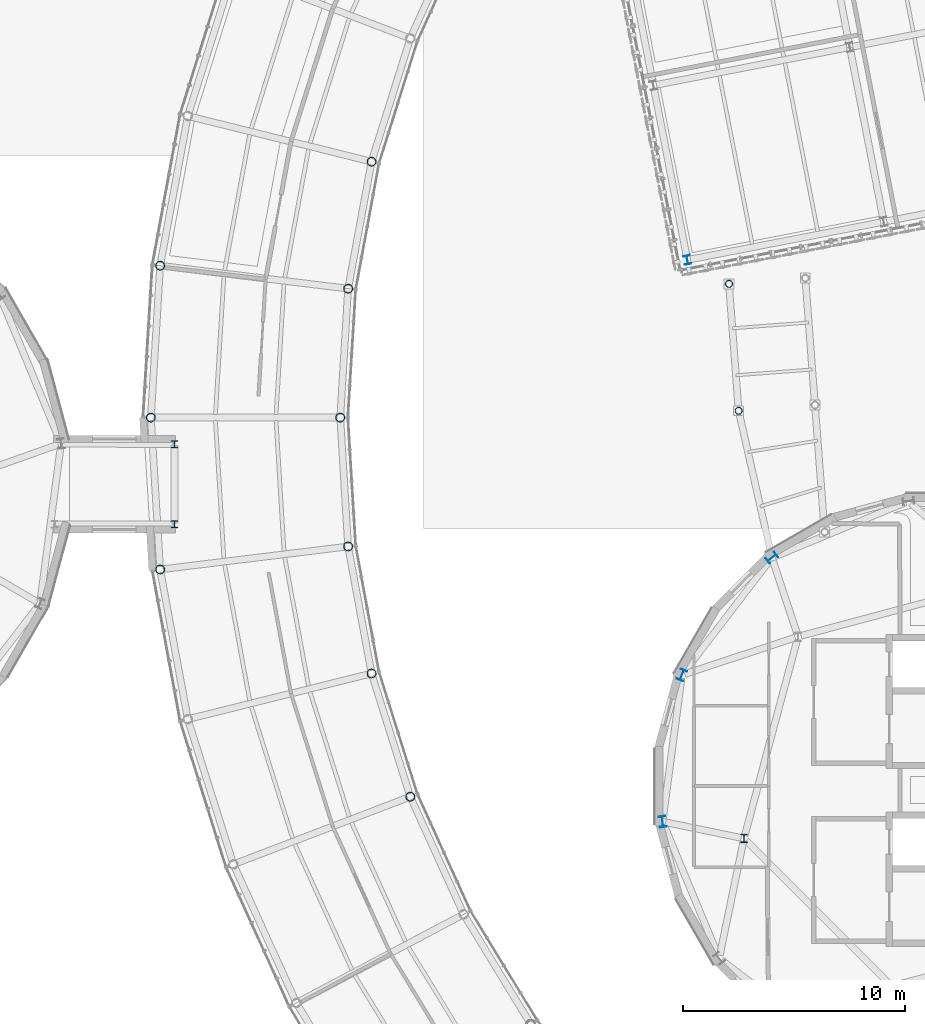
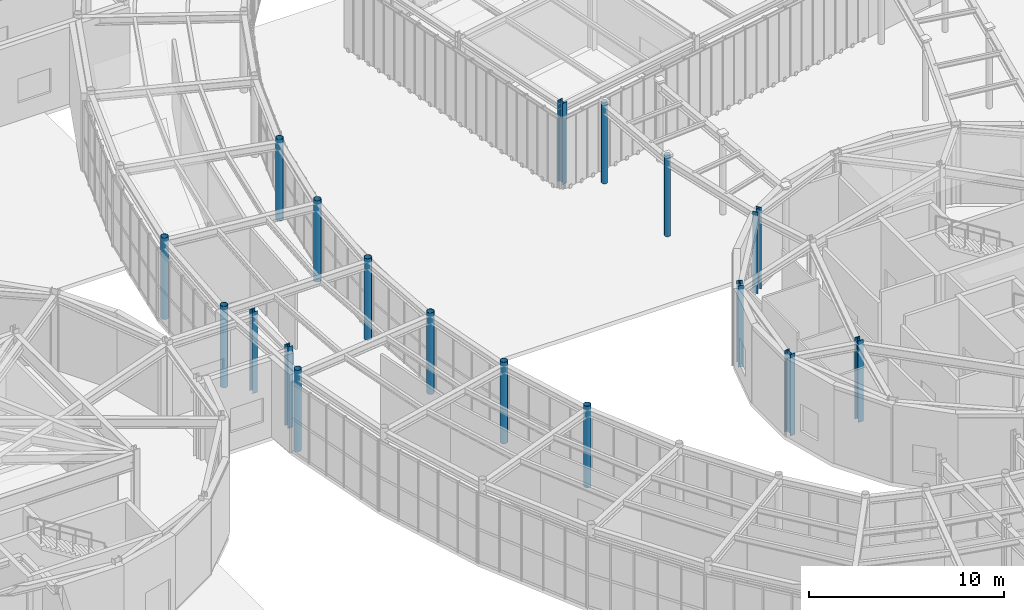
# One storey, part 4 of 97: 18 columns.
"""IFC4 building model written with IfcOpenShell, lengths in metres."""

import ifcopenshell
import ifcopenshell.guid

model = None  # the IFC model being written
_history = None  # IfcOwnerHistory: only IFC2X3 demands one
_inside = {}  # id of a spatial element -> (the spatial element, [elements in it])
_under = {}  # id of a project, library or spatial element -> (it, [spatial elements below it])
_declared = {}  # id of a project -> (the project, [libraries it declares])
_typed = {}  # id of a type object -> (the type object, [elements of that type])
_made_of = {}  # id of a material, layer set ... -> (it, [elements and type objects made of it])


def new_model(schema):
    """Start an empty IFC model of exactly this schema.

    Asked for "IFC4X3", IfcOpenShell would pick the latest addendum, in which some entities
    have other attributes; the version numbers below select the first issue.
    IFC2X3 requires an IfcOwnerHistory on every rooted entity: one is made here for all.
    """
    global model, _history
    if schema == "IFC4X3":
        model = ifcopenshell.file(schema_version=(4, 3, 0, 0))
    else:
        model = ifcopenshell.file(schema=schema)
    _inside.clear()
    _under.clear()
    _declared.clear()
    _typed.clear()
    _made_of.clear()
    _history = None
    if model.schema == "IFC2X3":
        org = make("IfcOrganization", Name="unknown")
        user = make(
            "IfcPersonAndOrganization",
            ThePerson=make("IfcPerson", FamilyName="unknown"),
            TheOrganization=org,
        )
        app = make(
            "IfcApplication",
            ApplicationDeveloper=org,
            Version="unknown",
            ApplicationFullName="unknown",
            ApplicationIdentifier="unknown",
        )
        _history = make(
            "IfcOwnerHistory",
            OwningUser=user,
            OwningApplication=app,
            ChangeAction="ADDED",
            CreationDate=0,
        )
    return model


def make(cls, **values):
    """One entity of the class cls with the attributes given. An attribute that is None is left unset."""
    return model.create_entity(
        cls, **{name: value for name, value in values.items() if value is not None}
    )


def rooted(cls, **values):
    """An entity with a GlobalId (a new one), such as an element, a storey or a relation."""
    return make(cls, GlobalId=ifcopenshell.guid.new(), OwnerHistory=_history, **values)


def si_unit(unit_type, name, prefix=None):
    """IfcSIUnit, for example si_unit("LENGTHUNIT", "METRE", prefix="MILLI")."""
    return make("IfcSIUnit", UnitType=unit_type, Prefix=prefix, Name=name)


def assignment(units):
    """IfcUnitAssignment: the units of a project."""
    return None if units is None else make("IfcUnitAssignment", Units=units)


def point(xyz):
    """IfcCartesianPoint."""
    return None if xyz is None else make("IfcCartesianPoint", Coordinates=xyz)


def direction(xyz):
    """IfcDirection."""
    return None if xyz is None else make("IfcDirection", DirectionRatios=xyz)


def frame(location, z_axis=None, x_axis=None):
    """IfcAxis2Placement3D, a coordinate frame: its origin and axes. An axis left out is left unset."""
    return make(
        "IfcAxis2Placement3D",
        Location=point(location),
        Axis=direction(z_axis),
        RefDirection=direction(x_axis),
    )


def frame_2d(location, x_axis=None):
    """IfcAxis2Placement2D, a coordinate frame in the plane: its origin and x axis."""
    return make(
        "IfcAxis2Placement2D", Location=point(location), RefDirection=direction(x_axis)
    )


def origin():
    """The frame at (0, 0, 0) with its axes left unset."""
    return frame((0.0, 0.0, 0.0))


def origin_2d():
    """The frame at (0, 0) in the plane with its x axis left unset."""
    return frame_2d((0.0, 0.0))


def place(relative_to, where):
    """IfcLocalPlacement: puts the frame where relative to a parent placement (None: the world)."""
    return make(
        "IfcLocalPlacement", PlacementRelTo=relative_to, RelativePlacement=where
    )


def context(
    kind, dimensions, precision=None, world=None, true_north=None, identifier=None
):
    """IfcGeometricRepresentationContext, for example the 3D "Model" context."""
    return make(
        "IfcGeometricRepresentationContext",
        ContextIdentifier=identifier,
        ContextType=kind,
        CoordinateSpaceDimension=dimensions,
        Precision=precision,
        WorldCoordinateSystem=world,
        TrueNorth=true_north,
    )


def subcontext(parent, identifier, kind, view, scale=None):
    """IfcGeometricRepresentationSubContext, for example "Body" below "Model"."""
    return make(
        "IfcGeometricRepresentationSubContext",
        ContextIdentifier=identifier,
        ContextType=kind,
        ParentContext=parent,
        TargetScale=scale,
        TargetView=view,
    )


def project(units=None, contexts=None):
    """IfcProject with its units and contexts."""
    return rooted(
        "IfcProject",
        Name="project",
        RepresentationContexts=contexts,
        UnitsInContext=assignment(units),
    )


def spatial(cls, under=None, at=None, **own):
    """A site, building, storey or space (cls), placed at a placement, below another one or the project."""
    s = rooted(cls, ObjectPlacement=at, **own)
    if under is not None:
        _under.setdefault(under.id(), (under, []))[1].append(s)
    return s


def profile(cls, at=None, kind="AREA", **sizes):
    """A parametric profile (cls). Its sizes go by their IFC names, for example OverallWidth=200.0."""
    return make(cls, ProfileType=kind, Position=at, **sizes)


def hollow_circle(**sizes):
    """IfcCircleHollowProfileDef."""
    return profile("IfcCircleHollowProfileDef", **sizes)


def i_section(**sizes):
    """IfcIShapeProfileDef."""
    return profile("IfcIShapeProfileDef", **sizes)


def extrude(swept, where, along, depth):
    """IfcExtrudedAreaSolid: the profile swept, set in the frame where, extruded along a direction by depth."""
    return make(
        "IfcExtrudedAreaSolid",
        SweptArea=swept,
        Position=where,
        ExtrudedDirection=direction(along),
        Depth=depth,
    )


def shape(context_of_items, identifier, shape_type, items):
    """IfcShapeRepresentation: the items that make up one representation, for example the "Body"."""
    return make(
        "IfcShapeRepresentation",
        ContextOfItems=context_of_items,
        RepresentationIdentifier=identifier,
        RepresentationType=shape_type,
        Items=items,
    )


def material(Name=None, Category=None):
    """IfcMaterial."""
    return make("IfcMaterial", Name=Name, Category=Category)


def material_profile(
    of_material, cross_section, Name=None, Category=None, Priority=None
):
    """IfcMaterialProfile: a cross section and its material."""
    return make(
        "IfcMaterialProfile",
        Name=Name,
        Material=of_material,
        Profile=cross_section,
        Priority=Priority,
        Category=Category,
    )


def profile_set(profiles, Name=None, composite=None):
    """IfcMaterialProfileSet."""
    return make(
        "IfcMaterialProfileSet",
        Name=Name,
        MaterialProfiles=profiles,
        CompositeProfile=composite,
    )


def made_of(thing, what):
    """Note that an element or type object is made of a material, layer set ...; save() writes the relation."""
    if what is not None:
        _made_of.setdefault(what.id(), (what, []))[1].append(thing)
    return thing


def type_object(cls, material=None, **own):
    """A type object (cls), such as IfcWallType, which elements share."""
    return made_of(rooted(cls, **own), material)


def element(
    cls,
    number,
    at=None,
    inside=None,
    cuts=None,
    type_object=None,
    material=None,
    context=None,
    identifier="Body",
    shape_type=None,
    held_by="IfcProductDefinitionShape",
    body=None,
    shapes=None,
    **own,
):
    """One element of the class cls, such as IfcWall. Its Tag is "e" and its number.

    at: its placement. inside: the storey or other place that contains it. cuts: it is an
    opening in that element (IfcRelVoidsElement). A single representation is given by context,
    identifier, shape_type and body (its items); several are given by shapes. held_by: the class
    of the entity that holds the representations. save() writes the other relations.
    """
    e = rooted(cls, Tag="e%d" % number, ObjectPlacement=at, **own)
    if body is not None:
        shapes = [shape(context, identifier, shape_type, body)]
    if shapes is not None:
        e.Representation = make(held_by, Representations=shapes)
    if inside is not None:
        _inside.setdefault(inside.id(), (inside, []))[1].append(e)
    if cuts is not None:
        rooted(
            "IfcRelVoidsElement", RelatingBuildingElement=cuts, RelatedOpeningElement=e
        )
    if type_object is not None:
        _typed.setdefault(type_object.id(), (type_object, []))[1].append(e)
    return made_of(e, material)


def aggregate(whole, parts):
    """IfcRelAggregates: a whole, such as a stair, and the parts it consists of."""
    return rooted("IfcRelAggregates", RelatingObject=whole, RelatedObjects=parts)


def save(model, path):
    """Write the relations noted so far, then the file.

    IfcRelAggregates (storeys below a building ...), IfcRelContainedInSpatialStructure (elements
    in a storey), IfcRelDefinesByType, IfcRelAssociatesMaterial and IfcRelDeclares: one each for
    every whole, place, type object, material and project.
    """
    for whole, parts in _under.values():
        aggregate(whole, parts)
    for where, things in _inside.values():
        rooted(
            "IfcRelContainedInSpatialStructure",
            RelatedElements=things,
            RelatingStructure=where,
        )
    for kind, things in _typed.values():
        rooted("IfcRelDefinesByType", RelatedObjects=things, RelatingType=kind)
    for what, things in _made_of.values():
        rooted("IfcRelAssociatesMaterial", RelatedObjects=things, RelatingMaterial=what)
    for by, libraries in _declared.values():
        rooted("IfcRelDeclares", RelatingContext=by, RelatedDefinitions=libraries)
    model.write(path)


model = new_model("IFC4")

# Units and contexts
model_context = context("Model", 3, precision=1e-05, world=origin(), true_north=direction((0.0, 1.0)))
body_context = subcontext(model_context, "Body", "Model", "MODEL_VIEW")
ifc_project = project(units=[si_unit("LENGTHUNIT", "METRE"), si_unit("AREAUNIT", "SQUARE_METRE"), si_unit("VOLUMEUNIT", "CUBIC_METRE"), si_unit("PLANEANGLEUNIT", "RADIAN"), si_unit("MASSUNIT", "GRAM", prefix="KILO")], contexts=[model_context])

# Site, building, storey
site_placement = place(None, origin())
site = spatial("IfcSite", under=ifc_project, at=site_placement, CompositionType="ELEMENT")
building_placement = place(site_placement, origin())
building = spatial("IfcBuilding", under=site, at=building_placement, Name="Varnklinge Art Gallery", CompositionType="ELEMENT")
storey_placement = place(building_placement, origin())
storey = spatial("IfcBuildingStorey", under=building, at=storey_placement, Name="L00", CompositionType="ELEMENT", Elevation=0.0)

# Columns
ifc_material_1 = material(Name="Steel S355", Category="steel")
ifc_material_profile_1 = material_profile(ifc_material_1, i_section(OverallWidth=0.30810546875, OverallDepth=0.39501953125, WebThickness=0.02099609375, FlangeThickness=0.0400390625, FilletRadius=0.027099609375, at=origin_2d()), Name="HEM 360")
ifc_profile_set_1 = profile_set([ifc_material_profile_1], Name="Steel S355")
column_type_1 = type_object("IfcColumnType", Name="COL-03", PredefinedType="COLUMN", material=ifc_profile_set_1)
column_1_placement = place(storey_placement, frame((66.42041015625, 36.067138671875, 0.0), z_axis=(0.0, 0.0, 1.0), x_axis=(1.0, 0.0, 0.0)))
element("IfcColumn", 1, at=column_1_placement, inside=storey, type_object=column_type_1, Name="L00 Column V4CI-4", PredefinedType="COLUMN", context=body_context, shape_type="SweptSolid", body=[
    extrude(i_section(OverallWidth=0.30810546875, OverallDepth=0.39501953125, WebThickness=0.02099609375, FlangeThickness=0.0400390625, FilletRadius=0.027099609375, at=origin_2d()), origin(), (0.0, 0.0, 1.0), 5.10009765625),
])
ifc_material_2 = material(Name="Steel S355", Category="steel")
ifc_material_profile_2 = material_profile(ifc_material_2, i_section(OverallWidth=0.300048828125, OverallDepth=0.320068359375, WebThickness=0.011474609375, FlangeThickness=0.0205078125, FilletRadius=0.027099609375, at=origin_2d()), Name="HEB 320")
ifc_profile_set_2 = profile_set([ifc_material_profile_2], Name="Steel S355")
column_type_2 = type_object("IfcColumnType", Name="COL-09", PredefinedType="COLUMN", material=ifc_profile_set_2)
for number, where, z_axis, x_axis, name in (
    (2, (40.800048828125, 50.199951171875, 0.0), (0.0, 0.0, 1.0), (1.0, 0.0, 0.0), "L00 Column LNK-V3-C2"),
    (3, (40.800048828125, 53.800048828125, 0.0), (0.0, 0.0, 1.0), (1.0, 0.0, 0.0), "L00 Column LNK-V3-C3"),
):
    element("IfcColumn", number, at=place(storey_placement, frame(where, z_axis=z_axis, x_axis=x_axis)), inside=storey, type_object=column_type_2, Name=name, PredefinedType="COLUMN", context=body_context, shape_type="SweptSolid", body=[
        extrude(i_section(OverallWidth=0.300048828125, OverallDepth=0.320068359375, WebThickness=0.011474609375, FlangeThickness=0.0205078125, FilletRadius=0.027099609375, at=origin_2d()), origin(), (0.0, 0.0, 1.0), 5.10009765625),
    ])
ifc_material_3 = material(Name="Steel S355", Category="steel")
ifc_material_profile_3 = material_profile(ifc_material_3, i_section(OverallWidth=0.300048828125, OverallDepth=0.5, WebThickness=0.014404296875, FlangeThickness=0.028076171875, FilletRadius=0.027099609375, at=origin_2d()), Name="HEB 500")
ifc_profile_set_3 = profile_set([ifc_material_profile_3], Name="Steel S355")
column_type_3 = type_object("IfcColumnType", Name="COL-E1", PredefinedType="COLUMN", material=ifc_profile_set_3)
for number, where, z_axis, x_axis, name in (
    (4, (67.677490234375, 48.694580078125, 0.0), (0.0, 0.0, 1.0), (-0.608761429009, 0.793353340291, 0.0), "L00 Column V4CP-05"),
    (5, (63.628173828125, 43.41748046875, 0.0), (0.0, 0.0, 1.0), (-0.923879532511, 0.382683432365, 0.0), "L00 Column V4CP-06"),
    (6, (62.760009765625, 36.82275390625, 0.0), (0.0, 0.0, 1.0), (-0.991444861374, -0.13052619222, 0.0), "L00 Column V4CP-07"),
):
    element("IfcColumn", number, at=place(storey_placement, frame(where, z_axis=z_axis, x_axis=x_axis)), inside=storey, type_object=column_type_3, Name=name, PredefinedType="COLUMN", context=body_context, shape_type="SweptSolid", body=[
        extrude(i_section(OverallWidth=0.300048828125, OverallDepth=0.5, WebThickness=0.014404296875, FlangeThickness=0.028076171875, FilletRadius=0.027099609375, at=origin_2d()), origin(), (0.0, 0.0, 1.0), 5.10009765625),
    ])
ifc_material_4 = material(Name="Steel S355", Category="steel")
ifc_material_profile_4 = material_profile(ifc_material_4, i_section(OverallWidth=0.300048828125, OverallDepth=0.39990234375, WebThickness=0.013427734375, FlangeThickness=0.02392578125, FilletRadius=0.027099609375, at=origin_2d()), Name="HEB 400")
ifc_profile_set_4 = profile_set([ifc_material_profile_4], Name="Steel S355")
column_type_4 = type_object("IfcColumnType", Name="COL-E3", PredefinedType="COLUMN", material=ifc_profile_set_4)
column_2_placement = place(storey_placement, frame((63.872802734375, 62.090087890625, 0.0), z_axis=(0.0, 0.0, 1.0), x_axis=(0.981627183448, 0.190808995377, 0.0)))
element("IfcColumn", 7, at=column_2_placement, inside=storey, type_object=column_type_4, Name="L00 Column V4BC-1-1", PredefinedType="COLUMN", context=body_context, shape_type="SweptSolid", body=[
    extrude(i_section(OverallWidth=0.300048828125, OverallDepth=0.39990234375, WebThickness=0.013427734375, FlangeThickness=0.02392578125, FilletRadius=0.027099609375, at=origin_2d()), origin(), (0.0, 0.0, 1.0), 5.10009765625),
])
ifc_material_5 = material(Name="Steel S355", Category="steel")
ifc_material_profile_5 = material_profile(ifc_material_5, hollow_circle(Radius=0.203125, WallThickness=0.02001953125, at=origin_2d()), Name="CHS 406.4x20")
ifc_profile_set_5 = profile_set([ifc_material_profile_5], Name="Steel S355")
column_type_5 = type_object("IfcColumnType", Name="COL-E5", PredefinedType="COLUMN", material=ifc_profile_set_5)
for number, where, z_axis, x_axis, name in (
    (8, (49.667236328125, 66.511962890625, 0.0), (0.0, 0.0, 1.0), (0.970506473469, -0.241075060833, 0.0), "L00 Column V2CI-25"),
    (9, (40.157958984375, 61.83349609375, 0.0), (0.0, 0.0, 1.0), (0.992588631597, -0.121522872021, 0.0), "L00 Column V2CO-26"),
    (10, (48.612060546875, 60.798828125, 0.0), (0.0, 0.0, 1.0), (0.992588631597, -0.121522872021, 0.0), "L00 Column V2CI-26"),
    (11, (39.741455078125, 55.0, 0.0), (0.0, 0.0, 1.0), (1.0, 0.0, 0.0), "L00 Column V2CO-27"),
    (12, (48.258544921875, 55.0, 0.0), (0.0, 0.0, 1.0), (1.0, 0.0, 0.0), "L00 Column V2CI-27"),
    (13, (40.157958984375, 48.16650390625, 0.0), (0.0, 0.0, 1.0), (0.992588631597, 0.121522872021, 0.0), "L00 Column V2CO-28"),
    (14, (48.612060546875, 49.201171875, 0.0), (0.0, 0.0, 1.0), (0.992588631597, 0.121522872021, 0.0), "L00 Column V2CI-28"),
    (15, (49.667236328125, 43.488037109375, 0.0), (0.0, 0.0, 1.0), (0.970506473469, 0.241075060833, 0.0), "L00 Column V2CI-29"),
    (16, (51.40869140625, 37.9453125, 0.0), (0.0, 0.0, 1.0), (0.934017558691, 0.357227098715, 0.0), "L00 Column V2CI-30"),
):
    element("IfcColumn", number, at=place(storey_placement, frame(where, z_axis=z_axis, x_axis=x_axis)), inside=storey, type_object=column_type_5, Name=name, PredefinedType="COLUMN", context=body_context, shape_type="SweptSolid", body=[
        extrude(hollow_circle(Radius=0.203125, WallThickness=0.02001953125, at=origin_2d()), origin(), (0.0, 0.0, 1.0), 5.10009765625),
    ])
ifc_material_6 = material(Name="Steel S355", Category="steel")
ifc_material_profile_6 = material_profile(ifc_material_6, hollow_circle(Radius=0.161865234375, WallThickness=0.01611328125, at=origin_2d()), Name="CHS 323.9x16")
ifc_profile_set_6 = profile_set([ifc_material_profile_6], Name="Steel S355")
column_type_6 = type_object("IfcColumnType", Name="COL-E6", PredefinedType="COLUMN", material=ifc_profile_set_6)
for number, where, z_axis, x_axis, name in (
    (17, (66.178955078125, 55.30224609375, 0.0), (0.0, 0.0, 1.0), (1.0, 0.0, 0.0), "L00 Column BRG-1-CR2"),
    (18, (65.744140625, 61.013916015625, 0.0), (0.0, 0.0, 1.0), (1.0, 0.0, 0.0), "L00 Column BRG-1-CR3"),
):
    element("IfcColumn", number, at=place(storey_placement, frame(where, z_axis=z_axis, x_axis=x_axis)), inside=storey, type_object=column_type_6, Name=name, PredefinedType="COLUMN", context=body_context, shape_type="SweptSolid", body=[
        extrude(hollow_circle(Radius=0.161865234375, WallThickness=0.01611328125, at=origin_2d()), origin(), (0.0, 0.0, 1.0), 5.10009765625),
    ])

save(model, "model.ifc")
